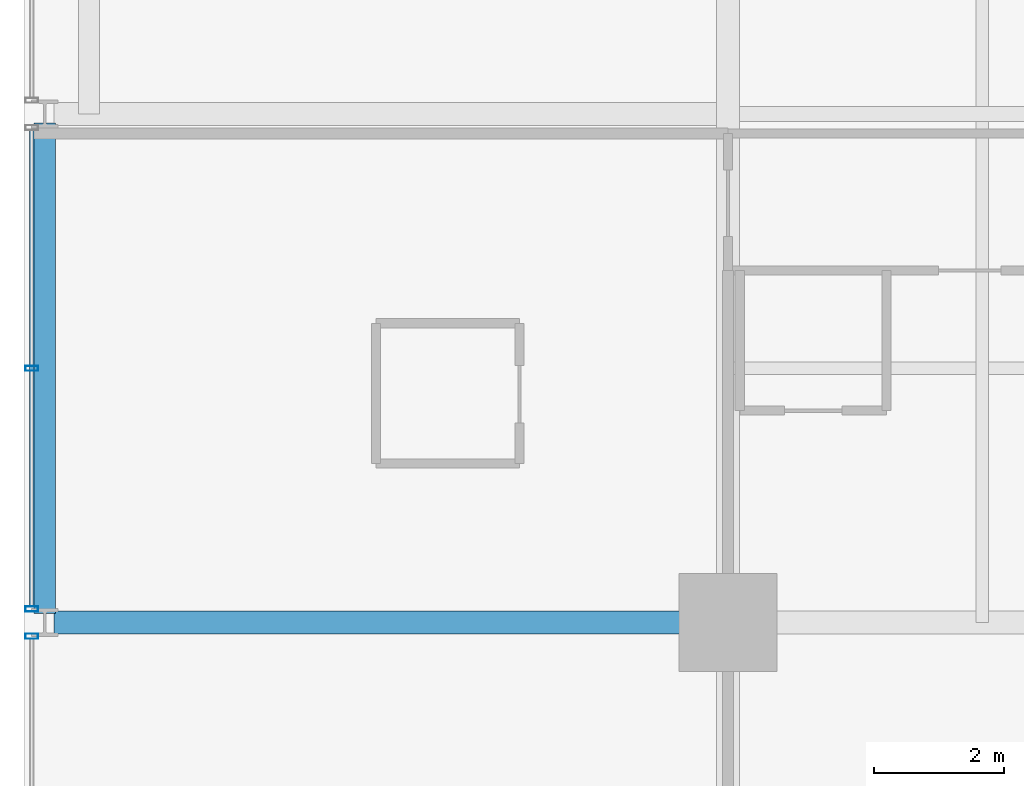
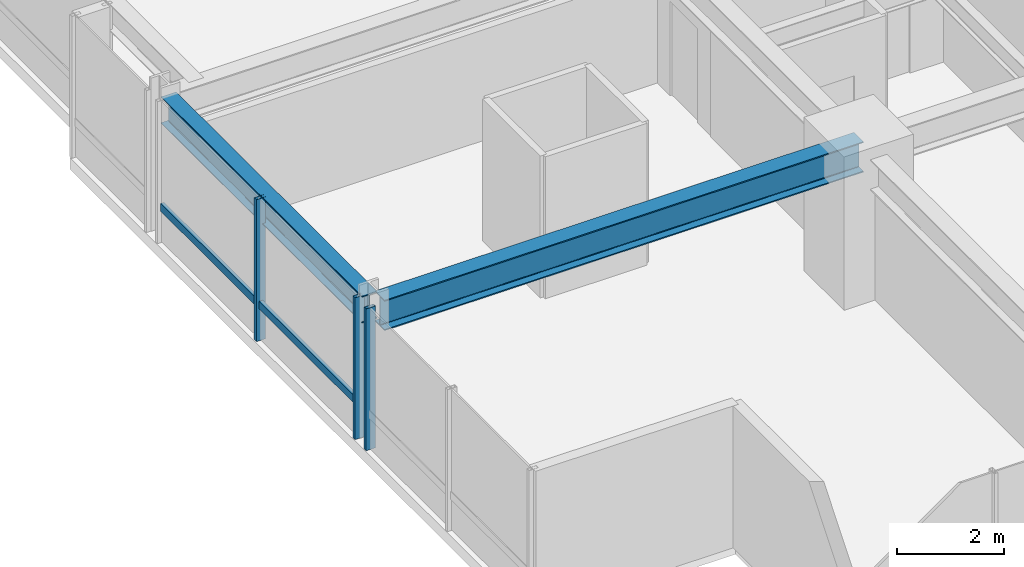
# One storey, part 4 of 33: 4 members, 2 beams, 2 elements without a shape of their own.
"""IFC4 building model written with IfcOpenShell, lengths in metres."""

import ifcopenshell
import ifcopenshell.guid

model = None  # the IFC model being written
_history = None  # IfcOwnerHistory: only IFC2X3 demands one
_inside = {}  # id of a spatial element -> (the spatial element, [elements in it])
_under = {}  # id of a project, library or spatial element -> (it, [spatial elements below it])
_declared = {}  # id of a project -> (the project, [libraries it declares])
_typed = {}  # id of a type object -> (the type object, [elements of that type])
_made_of = {}  # id of a material, layer set ... -> (it, [elements and type objects made of it])


def new_model(schema):
    """Start an empty IFC model of exactly this schema.

    Asked for "IFC4X3", IfcOpenShell would pick the latest addendum, in which some entities
    have other attributes; the version numbers below select the first issue.
    IFC2X3 requires an IfcOwnerHistory on every rooted entity: one is made here for all.
    """
    global model, _history
    if schema == "IFC4X3":
        model = ifcopenshell.file(schema_version=(4, 3, 0, 0))
    else:
        model = ifcopenshell.file(schema=schema)
    _inside.clear()
    _under.clear()
    _declared.clear()
    _typed.clear()
    _made_of.clear()
    _history = None
    if model.schema == "IFC2X3":
        org = make("IfcOrganization", Name="unknown")
        user = make(
            "IfcPersonAndOrganization",
            ThePerson=make("IfcPerson", FamilyName="unknown"),
            TheOrganization=org,
        )
        app = make(
            "IfcApplication",
            ApplicationDeveloper=org,
            Version="unknown",
            ApplicationFullName="unknown",
            ApplicationIdentifier="unknown",
        )
        _history = make(
            "IfcOwnerHistory",
            OwningUser=user,
            OwningApplication=app,
            ChangeAction="ADDED",
            CreationDate=0,
        )
    return model


def make(cls, **values):
    """One entity of the class cls with the attributes given. An attribute that is None is left unset."""
    return model.create_entity(
        cls, **{name: value for name, value in values.items() if value is not None}
    )


def rooted(cls, **values):
    """An entity with a GlobalId (a new one), such as an element, a storey or a relation."""
    return make(cls, GlobalId=ifcopenshell.guid.new(), OwnerHistory=_history, **values)


def si_unit(unit_type, name, prefix=None):
    """IfcSIUnit, for example si_unit("LENGTHUNIT", "METRE", prefix="MILLI")."""
    return make("IfcSIUnit", UnitType=unit_type, Prefix=prefix, Name=name)


def assignment(units):
    """IfcUnitAssignment: the units of a project."""
    return None if units is None else make("IfcUnitAssignment", Units=units)


def point(xyz):
    """IfcCartesianPoint."""
    return None if xyz is None else make("IfcCartesianPoint", Coordinates=xyz)


def direction(xyz):
    """IfcDirection."""
    return None if xyz is None else make("IfcDirection", DirectionRatios=xyz)


def frame(location, z_axis=None, x_axis=None):
    """IfcAxis2Placement3D, a coordinate frame: its origin and axes. An axis left out is left unset."""
    return make(
        "IfcAxis2Placement3D",
        Location=point(location),
        Axis=direction(z_axis),
        RefDirection=direction(x_axis),
    )


def frame_2d(location, x_axis=None):
    """IfcAxis2Placement2D, a coordinate frame in the plane: its origin and x axis."""
    return make(
        "IfcAxis2Placement2D", Location=point(location), RefDirection=direction(x_axis)
    )


def origin():
    """The frame at (0, 0, 0) with its axes left unset."""
    return frame((0.0, 0.0, 0.0))


def origin_2d():
    """The frame at (0, 0) in the plane with its x axis left unset."""
    return frame_2d((0.0, 0.0))


def place(relative_to, where):
    """IfcLocalPlacement: puts the frame where relative to a parent placement (None: the world)."""
    return make(
        "IfcLocalPlacement", PlacementRelTo=relative_to, RelativePlacement=where
    )


def context(
    kind, dimensions, precision=None, world=None, true_north=None, identifier=None
):
    """IfcGeometricRepresentationContext, for example the 3D "Model" context."""
    return make(
        "IfcGeometricRepresentationContext",
        ContextIdentifier=identifier,
        ContextType=kind,
        CoordinateSpaceDimension=dimensions,
        Precision=precision,
        WorldCoordinateSystem=world,
        TrueNorth=true_north,
    )


def subcontext(parent, identifier, kind, view, scale=None):
    """IfcGeometricRepresentationSubContext, for example "Body" below "Model"."""
    return make(
        "IfcGeometricRepresentationSubContext",
        ContextIdentifier=identifier,
        ContextType=kind,
        ParentContext=parent,
        TargetScale=scale,
        TargetView=view,
    )


def project(units=None, contexts=None):
    """IfcProject with its units and contexts."""
    return rooted(
        "IfcProject",
        Name="project",
        RepresentationContexts=contexts,
        UnitsInContext=assignment(units),
    )


def spatial(cls, under=None, at=None, **own):
    """A site, building, storey or space (cls), placed at a placement, below another one or the project."""
    s = rooted(cls, ObjectPlacement=at, **own)
    if under is not None:
        _under.setdefault(under.id(), (under, []))[1].append(s)
    return s


def profile(cls, at=None, kind="AREA", **sizes):
    """A parametric profile (cls). Its sizes go by their IFC names, for example OverallWidth=200.0."""
    return make(cls, ProfileType=kind, Position=at, **sizes)


def hollow_rectangle(**sizes):
    """IfcRectangleHollowProfileDef."""
    return profile("IfcRectangleHollowProfileDef", **sizes)


def i_section(**sizes):
    """IfcIShapeProfileDef."""
    return profile("IfcIShapeProfileDef", **sizes)


def extrude(swept, where, along, depth):
    """IfcExtrudedAreaSolid: the profile swept, set in the frame where, extruded along a direction by depth."""
    return make(
        "IfcExtrudedAreaSolid",
        SweptArea=swept,
        Position=where,
        ExtrudedDirection=direction(along),
        Depth=depth,
    )


def shape(context_of_items, identifier, shape_type, items):
    """IfcShapeRepresentation: the items that make up one representation, for example the "Body"."""
    return make(
        "IfcShapeRepresentation",
        ContextOfItems=context_of_items,
        RepresentationIdentifier=identifier,
        RepresentationType=shape_type,
        Items=items,
    )


def material(Name=None, Category=None):
    """IfcMaterial."""
    return make("IfcMaterial", Name=Name, Category=Category)


def layer(
    of_material, thickness, ventilated=None, Name=None, Category=None, Priority=None
):
    """IfcMaterialLayer: one layer of a wall or slab, of a material (None: an air gap)."""
    return make(
        "IfcMaterialLayer",
        Material=of_material,
        LayerThickness=thickness,
        IsVentilated=ventilated,
        Name=Name,
        Category=Category,
        Priority=Priority,
    )


def layer_set(layers, Name=None):
    """IfcMaterialLayerSet."""
    return make("IfcMaterialLayerSet", MaterialLayers=layers, LayerSetName=Name)


def material_profile(
    of_material, cross_section, Name=None, Category=None, Priority=None
):
    """IfcMaterialProfile: a cross section and its material."""
    return make(
        "IfcMaterialProfile",
        Name=Name,
        Material=of_material,
        Profile=cross_section,
        Priority=Priority,
        Category=Category,
    )


def profile_set(profiles, Name=None, composite=None):
    """IfcMaterialProfileSet."""
    return make(
        "IfcMaterialProfileSet",
        Name=Name,
        MaterialProfiles=profiles,
        CompositeProfile=composite,
    )


def made_of(thing, what):
    """Note that an element or type object is made of a material, layer set ...; save() writes the relation."""
    if what is not None:
        _made_of.setdefault(what.id(), (what, []))[1].append(thing)
    return thing


def type_object(cls, material=None, **own):
    """A type object (cls), such as IfcWallType, which elements share."""
    return made_of(rooted(cls, **own), material)


def element(
    cls,
    number,
    at=None,
    inside=None,
    cuts=None,
    type_object=None,
    material=None,
    context=None,
    identifier="Body",
    shape_type=None,
    held_by="IfcProductDefinitionShape",
    body=None,
    shapes=None,
    **own,
):
    """One element of the class cls, such as IfcWall. Its Tag is "e" and its number.

    at: its placement. inside: the storey or other place that contains it. cuts: it is an
    opening in that element (IfcRelVoidsElement). A single representation is given by context,
    identifier, shape_type and body (its items); several are given by shapes. held_by: the class
    of the entity that holds the representations. save() writes the other relations.
    """
    e = rooted(cls, Tag="e%d" % number, ObjectPlacement=at, **own)
    if body is not None:
        shapes = [shape(context, identifier, shape_type, body)]
    if shapes is not None:
        e.Representation = make(held_by, Representations=shapes)
    if inside is not None:
        _inside.setdefault(inside.id(), (inside, []))[1].append(e)
    if cuts is not None:
        rooted(
            "IfcRelVoidsElement", RelatingBuildingElement=cuts, RelatedOpeningElement=e
        )
    if type_object is not None:
        _typed.setdefault(type_object.id(), (type_object, []))[1].append(e)
    return made_of(e, material)


def aggregate(whole, parts):
    """IfcRelAggregates: a whole, such as a stair, and the parts it consists of."""
    return rooted("IfcRelAggregates", RelatingObject=whole, RelatedObjects=parts)


def save(model, path):
    """Write the relations noted so far, then the file.

    IfcRelAggregates (storeys below a building ...), IfcRelContainedInSpatialStructure (elements
    in a storey), IfcRelDefinesByType, IfcRelAssociatesMaterial and IfcRelDeclares: one each for
    every whole, place, type object, material and project.
    """
    for whole, parts in _under.values():
        aggregate(whole, parts)
    for where, things in _inside.values():
        rooted(
            "IfcRelContainedInSpatialStructure",
            RelatedElements=things,
            RelatingStructure=where,
        )
    for kind, things in _typed.values():
        rooted("IfcRelDefinesByType", RelatedObjects=things, RelatingType=kind)
    for what, things in _made_of.values():
        rooted("IfcRelAssociatesMaterial", RelatedObjects=things, RelatingMaterial=what)
    for by, libraries in _declared.values():
        rooted("IfcRelDeclares", RelatingContext=by, RelatedDefinitions=libraries)
    model.write(path)


model = new_model("IFC4")

# Units and contexts
model_context = context("Model", 3, precision=1e-05, world=origin(), true_north=direction((0.0, 1.0)))
body_context = subcontext(model_context, "Body", "Model", "MODEL_VIEW")
ifc_project = project(units=[si_unit("LENGTHUNIT", "METRE"), si_unit("AREAUNIT", "SQUARE_METRE"), si_unit("VOLUMEUNIT", "CUBIC_METRE"), si_unit("PLANEANGLEUNIT", "RADIAN"), si_unit("MASSUNIT", "GRAM", prefix="KILO")], contexts=[model_context])

# Site, building, storey
site_placement = place(None, origin())
site = spatial("IfcSite", under=ifc_project, at=site_placement, CompositionType="ELEMENT")
building_placement = place(site_placement, origin())
building = spatial("IfcBuilding", under=site, at=building_placement, Name="Drelvath Grand Hotel", CompositionType="ELEMENT")
storey_placement = place(building_placement, frame((0.0, 0.0, 119.800048828125)))
storey = spatial("IfcBuildingStorey", under=building, at=storey_placement, Name="L30", CompositionType="ELEMENT", Elevation=119.800048828125)

# Curtain wall, member
ifc_material_1 = material(Name="Champagne Bronze Anodised Aluminium Frame", Category="aluminium")
ifc_layer = layer(ifc_material_1, 0.199951171875)
ifc_layer_set = layer_set([ifc_layer], Name="Champagne Bronze Anodised Aluminium Frame")
curtain_wall_type = type_object("IfcCurtainWallType", Name="Stick Curtain Wall CW-03 Champagne Bronze Mid-Rise", PredefinedType="NOTDEFINED", material=ifc_layer_set)
curtain_wall_1_placement = place(storey_placement, origin())
curtain_wall_1 = element("IfcCurtainWall", 1, at=curtain_wall_1_placement, inside=storey, type_object=curtain_wall_type, Name="L30 CW-03 Curtain Wall CW03-L30-WS2", PredefinedType="NOTDEFINED")
ifc_material_profile_1 = material_profile(ifc_material_1, hollow_rectangle(XDim=0.074951171875, YDim=0.179931640625, WallThickness=0.0048828125, at=origin_2d()), Name="HSS180X75X5")
ifc_profile_set_1 = profile_set([ifc_material_profile_1], Name="Champagne Bronze Anodised Aluminium Frame")
member_type_1 = type_object("IfcMemberType", Name="Curtain Wall Horizontal Transom CW-03 HSS180X75X5", PredefinedType="USERDEFINED", material=ifc_profile_set_1)
member_1_placement = place(storey_placement, frame((-26.8798828125, 11.04931640625, 0.81005859375), z_axis=(0.0, 1.0, 0.0), x_axis=(-1.0, 0.0, 0.0)))
member_1 = element("IfcMember", 2, at=member_1_placement, type_object=member_type_1, Name="CW03-L30-WS2 Sill Transom", ObjectType="TRANSOM", PredefinedType="USERDEFINED", context=body_context, shape_type="SweptSolid", body=[
    extrude(hollow_rectangle(XDim=0.074951171875, YDim=0.179931640625, WallThickness=0.0048828125, at=origin_2d()), origin(), (0.0, 0.0, 1.0), 7.30126953125),
])

curtain_wall_2_placement = place(storey_placement, origin())
curtain_wall_2 = element("IfcCurtainWall", 3, at=curtain_wall_2_placement, inside=storey, type_object=curtain_wall_type, Name="L30 CW-03 Curtain Wall CW03-L30-WS1", PredefinedType="NOTDEFINED")
ifc_material_profile_2 = material_profile(ifc_material_1, hollow_rectangle(XDim=0.080078125, YDim=0.199951171875, WallThickness=0.0048828125, at=origin_2d()), Name="HSS200X80X5")
ifc_profile_set_2 = profile_set([ifc_material_profile_2], Name="Champagne Bronze Anodised Aluminium Frame")
member_type_2 = type_object("IfcMemberType", Name="Curtain Wall Vertical Mullion CW-03 HSS200X80X5", PredefinedType="MULLION", material=ifc_profile_set_2)
member_2_placement = place(storey_placement, frame((-26.8798828125, 10.590576171875, 0.0), z_axis=(0.0, 0.0, 1.0), x_axis=(0.0, 1.0, 0.0)))
member_2 = element("IfcMember", 4, at=member_2_placement, type_object=member_type_2, Name="CW03-L30-WS1 Mullion 3", PredefinedType="MULLION", context=body_context, shape_type="SweptSolid", body=[
    extrude(hollow_rectangle(XDim=0.080078125, YDim=0.199951171875, WallThickness=0.0048828125, at=origin_2d()), origin(), (0.0, 0.0, 1.0), 3.239990234375),
])
aggregate(curtain_wall_2, [member_2])

# Member
member_3_placement = place(storey_placement, frame((-26.8798828125, 11.009521484375, 0.0), z_axis=(0.0, 0.0, 1.0), x_axis=(0.0, 1.0, 0.0)))
member_3 = element("IfcMember", 5, at=member_3_placement, type_object=member_type_2, Name="CW03-L30-WS2 Mullion 1", PredefinedType="MULLION", context=body_context, shape_type="SweptSolid", body=[
    extrude(hollow_rectangle(XDim=0.080078125, YDim=0.199951171875, WallThickness=0.0048828125, at=origin_2d()), origin(), (0.0, 0.0, 1.0), 3.239990234375),
])

member_4_placement = place(storey_placement, frame((-26.8798828125, 14.699951171875, 0.0), z_axis=(0.0, 0.0, 1.0), x_axis=(0.0, 1.0, 0.0)))
member_4 = element("IfcMember", 6, at=member_4_placement, type_object=member_type_2, Name="CW03-L30-WS2 Mullion 2", PredefinedType="MULLION", context=body_context, shape_type="SweptSolid", body=[
    extrude(hollow_rectangle(XDim=0.080078125, YDim=0.199951171875, WallThickness=0.0048828125, at=origin_2d()), origin(), (0.0, 0.0, 1.0), 3.239990234375),
])

aggregate(curtain_wall_1, [member_3, member_4, member_1])

# Beams
ifc_material_2 = material(Name="Steel ASTM A992 Gr 50", Category="steel")
ifc_material_profile_3 = material_profile(ifc_material_2, i_section(OverallWidth=0.323974609375, OverallDepth=0.611083984375, WebThickness=0.0126953125, FlangeThickness=0.01904296875, FilletRadius=0.02197265625, at=origin_2d()), Name="W24X104")
ifc_profile_set_3 = profile_set([ifc_material_profile_3], Name="Steel ASTM A992 Gr 50")
beam_type_1 = type_object("IfcBeamType", Name="Perimeter Spandrel Beam W24X104", PredefinedType="SPANDREL", material=ifc_profile_set_3)
beam_1_placement = place(storey_placement, frame((-26.679931640625, 10.93994140625, 2.9345703125), z_axis=(0.0, 1.0, 0.0), x_axis=(-1.0, 0.0, 0.0)))
element("IfcBeam", 7, at=beam_1_placement, inside=storey, type_object=beam_type_1, Name="L30 Spandrel West S", PredefinedType="SPANDREL", context=body_context, shape_type="SweptSolid", body=[
    extrude(i_section(OverallWidth=0.323974609375, OverallDepth=0.611083984375, WebThickness=0.0126953125, FlangeThickness=0.01904296875, FilletRadius=0.02197265625, at=origin_2d()), origin(), (0.0, 0.0, 1.0), 7.52001953125),
])
ifc_material_profile_4 = material_profile(ifc_material_2, i_section(OverallWidth=0.354736328125, OverallDepth=0.695556640625, WebThickness=0.015380859375, FlangeThickness=0.025146484375, FilletRadius=0.02392578125, at=origin_2d()), Name="W27X146")
ifc_profile_set_4 = profile_set([ifc_material_profile_4], Name="Steel ASTM A992 Gr 50")
beam_type_2 = type_object("IfcBeamType", Name="Primary Floor Girder W27X146", PredefinedType="BEAM", material=ifc_profile_set_4)
beam_2_placement = place(storey_placement, frame((-26.5400390625, 10.800048828125, 2.892333984375), z_axis=(1.0, 0.0, 0.0), x_axis=(0.0, 1.0, 0.0)))
element("IfcBeam", 8, at=beam_2_placement, inside=storey, type_object=beam_type_2, Name="L30 West Grid Girder C", PredefinedType="BEAM", context=body_context, shape_type="SweptSolid", body=[
    extrude(i_section(OverallWidth=0.354736328125, OverallDepth=0.695556640625, WebThickness=0.015380859375, FlangeThickness=0.025146484375, FilletRadius=0.02392578125, at=origin_2d()), origin(), (0.0, 0.0, 1.0), 10.340087890625),
])

save(model, "model.ifc")
